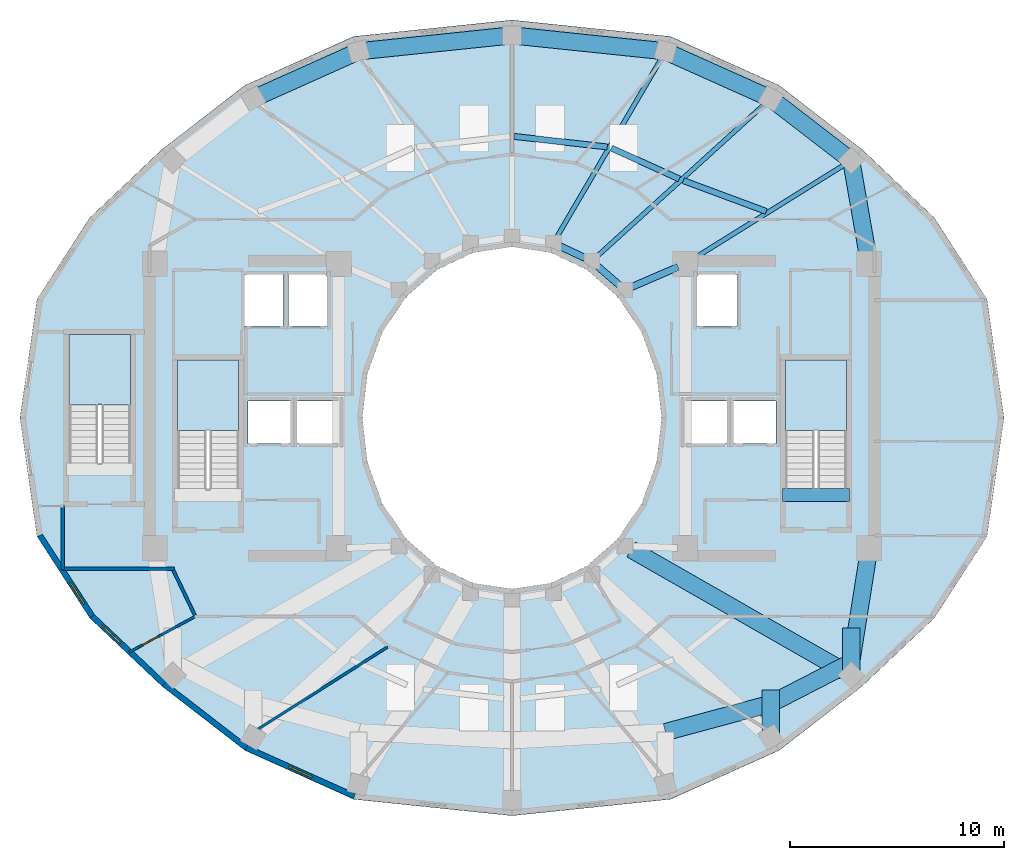
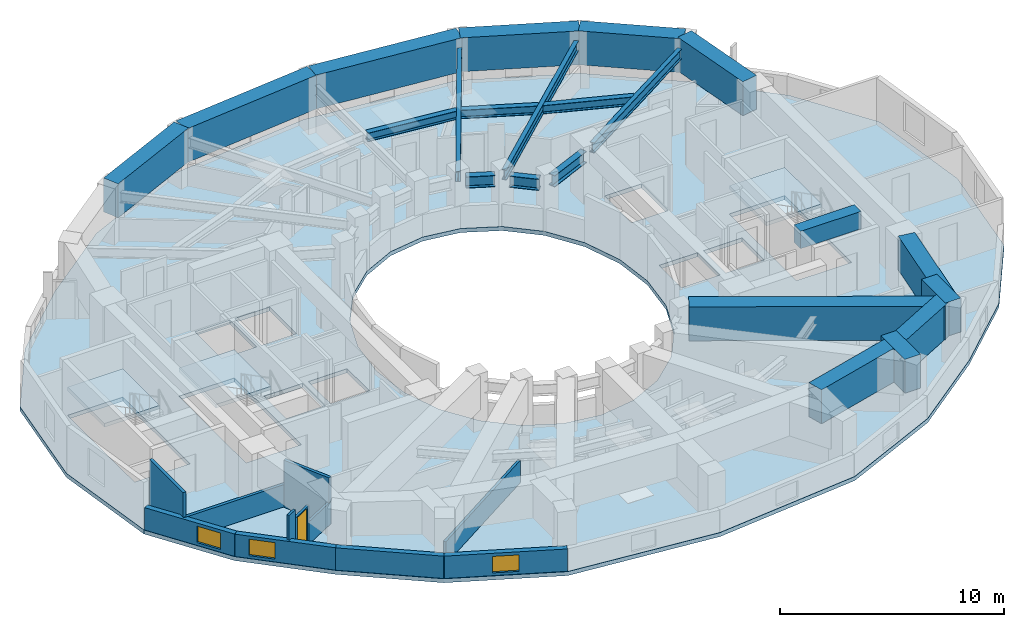
# One storey, part 2 of 9: 22 beams, 11 walls, 4 slabs, 3 windows, 1 door, 4 openings, 3 elements without a shape of their own.
"""IFC4 building model written with IfcOpenShell, lengths in metres."""

from ifc_helpers import new_model, si_unit, direction, frame, frame_2d, origin, origin_2d, place, context, subcontext, project, spatial, polyline, rectangle, i_section, outline, extrude, material, layer, layer_set, material_profile, profile_set, type_object, element, fill, aggregate, save


model = new_model("IFC4")

# Units and contexts
model_context = context("Model", 3, precision=1e-05, world=origin(), true_north=direction((0.0, 1.0)))
body_context = subcontext(model_context, "Body", "Model", "MODEL_VIEW")
ifc_project = project(units=[si_unit("LENGTHUNIT", "METRE"), si_unit("AREAUNIT", "SQUARE_METRE"), si_unit("VOLUMEUNIT", "CUBIC_METRE"), si_unit("PLANEANGLEUNIT", "RADIAN"), si_unit("MASSUNIT", "GRAM", prefix="KILO")], contexts=[model_context])

# Site, building, storey
site_placement = place(None, origin())
site = spatial("IfcSite", under=ifc_project, at=site_placement, CompositionType="ELEMENT")
building_placement = place(site_placement, origin())
building = spatial("IfcBuilding", under=site, at=building_placement, Name="Solvane Sanctuary Tower", CompositionType="ELEMENT")
storey_placement = place(building_placement, frame((0.0, 0.0, 187.0)))
storey = spatial("IfcBuildingStorey", under=building, at=storey_placement, Name="L57", CompositionType="ELEMENT", Elevation=187.0)

# Beams
ifc_material_1 = material(Name="Concrete C70/85", Category="concrete")
ifc_material_profile_1 = material_profile(ifc_material_1, rectangle(XDim=0.60009765625, YDim=0.949951171875, at=origin_2d()), Name="RC600X950")
ifc_profile_set_1 = profile_set([ifc_material_profile_1], Name="Concrete C70/85")
beam_type_1 = type_object("IfcBeamType", Name="Beam B-COUPLE RC600X950", PredefinedType="LINTEL", material=ifc_profile_set_1)
beam_1_placement = place(storey_placement, frame((44.64990234375, 19.399169921875, 2.625), z_axis=(1.0, 0.0, 0.0), x_axis=(0.0, 1.0, 0.0)))
element("IfcBeam", 1, at=beam_1_placement, inside=storey, type_object=beam_type_1, Name="L57 ST-2 Stair Floor Landing Trimmer", PredefinedType="LINTEL", context=body_context, shape_type="SweptSolid", body=[
    extrude(rectangle(XDim=0.60009765625, YDim=0.949951171875, at=origin_2d()), origin(), (0.0, 0.0, 1.0), 3.1201171875),
])
ifc_material_2 = material(Name="Steel ASTM A992 Grade 50", Category="steel")
ifc_material_profile_2 = material_profile(ifc_material_2, i_section(OverallWidth=0.214111328125, OverallDepth=0.549072265625, WebThickness=0.0146484375, FlangeThickness=0.023681640625, FilletRadius=0.014892578125, at=origin_2d()), Name="W21X93")
ifc_profile_set_2 = profile_set([ifc_material_profile_2], Name="Steel ASTM A992 Grade 50")
beam_type_2 = type_object("IfcBeamType", Name="Beam B-RAD-Z3 W21X93", PredefinedType="JOIST", material=ifc_profile_set_2)
beam_2_placement = place(storey_placement, frame((40.405517578125, 30.390380859375, 2.323486328125), z_axis=(0.84882685523, 0.528670946658, 0.0), x_axis=(-0.528670946658, 0.84882685523, 0.0)))
element("IfcBeam", 2, at=beam_2_placement, inside=storey, type_object=beam_type_2, Name="L57 Radial Composite Floor Beam 01", PredefinedType="JOIST", context=body_context, shape_type="SweptSolid", body=[
    extrude(i_section(OverallWidth=0.214111328125, OverallDepth=0.549072265625, WebThickness=0.0146484375, FlangeThickness=0.023681640625, FilletRadius=0.014892578125, at=origin_2d()), origin(), (0.0, 0.0, 1.0), 8.498046875),
])
beam_3_placement = place(storey_placement, frame((35.937255859375, 30.514892578125, 2.323486328125), z_axis=(0.74020423772, 0.672382098558, 0.0), x_axis=(-0.672382098558, 0.74020423772, 0.0)))
element("IfcBeam", 3, at=beam_3_placement, inside=storey, type_object=beam_type_2, Name="L57 Radial Composite Floor Beam 02", PredefinedType="JOIST", context=body_context, shape_type="SweptSolid", body=[
    extrude(i_section(OverallWidth=0.214111328125, OverallDepth=0.549072265625, WebThickness=0.0146484375, FlangeThickness=0.023681640625, FilletRadius=0.014892578125, at=origin_2d()), origin(), (0.0, 0.0, 1.0), 10.7451171875),
])
beam_4_placement = place(storey_placement, frame((34.072265625, 31.413330078125, 2.323486328125), z_axis=(0.505243742555, 0.862976686017, 0.0), x_axis=(-0.862976686017, 0.505243742555, 0.0)))
element("IfcBeam", 4, at=beam_4_placement, inside=storey, type_object=beam_type_2, Name="L57 Radial Composite Floor Beam 03", PredefinedType="JOIST", context=body_context, shape_type="SweptSolid", body=[
    extrude(i_section(OverallWidth=0.214111328125, OverallDepth=0.549072265625, WebThickness=0.0146484375, FlangeThickness=0.023681640625, FilletRadius=0.014892578125, at=origin_2d()), origin(), (0.0, 0.0, 1.0), 9.826171875),
])
ifc_material_profile_3 = material_profile(ifc_material_2, i_section(OverallWidth=0.324951171875, OverallDepth=0.615966796875, WebThickness=0.013916015625, FlangeThickness=0.021484375, FilletRadius=0.01611328125, at=origin_2d()), Name="W24X117")
ifc_profile_set_3 = profile_set([ifc_material_profile_3], Name="Steel ASTM A992 Grade 50")
beam_type_3 = type_object("IfcBeamType", Name="Beam B-RING-IN2 W24X117", PredefinedType="BEAM", material=ifc_profile_set_3)
beam_5_placement = place(storey_placement, frame((34.2431640625, 31.02490234375, 2.2900390625), z_axis=(0.9051808128, -0.425026700502, 0.0), x_axis=(0.425026700502, 0.9051808128, 0.0)))
element("IfcBeam", 5, at=beam_5_placement, inside=storey, type_object=beam_type_3, Name="L57 Inner Light-Well Ring Beam IC03-IC02", PredefinedType="BEAM", context=body_context, shape_type="SweptSolid", body=[
    extrude(i_section(OverallWidth=0.324951171875, OverallDepth=0.615966796875, WebThickness=0.013916015625, FlangeThickness=0.021484375, FilletRadius=0.01611328125, at=origin_2d()), origin(), (0.0, 0.0, 1.0), 1.297607421875),
])
beam_6_placement = place(storey_placement, frame((35.990234375, 30.10009765625, 2.2900390625), z_axis=(0.754311313851, -0.656516901379, 0.0), x_axis=(0.656516901379, 0.754311313851, 0.0)))
element("IfcBeam", 6, at=beam_6_placement, inside=storey, type_object=beam_type_3, Name="L57 Inner Light-Well Ring Beam IC02-IC01", PredefinedType="BEAM", context=body_context, shape_type="SweptSolid", body=[
    extrude(i_section(OverallWidth=0.324951171875, OverallDepth=0.615966796875, WebThickness=0.013916015625, FlangeThickness=0.021484375, FilletRadius=0.01611328125, at=origin_2d()), origin(), (0.0, 0.0, 1.0), 1.358154296875),
])
beam_7_placement = place(storey_placement, frame((37.591796875, 29.11865234375, 2.2900390625), z_axis=(0.918264067649, 0.395968561966, 0.0), x_axis=(-0.395968561966, 0.918264067649, 0.0)))
element("IfcBeam", 7, at=beam_7_placement, inside=storey, type_object=beam_type_3, Name="L57 Inner Light-Well Ring Beam IC01-CE4", PredefinedType="BEAM", context=body_context, shape_type="SweptSolid", body=[
    extrude(i_section(OverallWidth=0.324951171875, OverallDepth=0.615966796875, WebThickness=0.013916015625, FlangeThickness=0.021484375, FilletRadius=0.01611328125, at=origin_2d()), origin(), (0.0, 0.0, 1.0), 2.371337890625),
])
ifc_material_profile_4 = material_profile(ifc_material_2, i_section(OverallWidth=0.280029296875, OverallDepth=0.462890625, WebThickness=0.0107421875, FlangeThickness=0.017333984375, FilletRadius=0.013916015625, at=origin_2d()), Name="W18X76")
ifc_profile_set_4 = profile_set([ifc_material_profile_4], Name="Steel ASTM A992 Grade 50")
beam_type_4 = type_object("IfcBeamType", Name="Beam B-SEC-JOIST W18X76", PredefinedType="JOIST", material=ifc_profile_set_4)
beam_8_placement = place(storey_placement, frame((32.101318359375, 36.158447265625, 2.366455078125), z_axis=(0.993621305354, -0.112768353477, 0.0), x_axis=(0.112768353477, 0.993621305354, 0.0)))
element("IfcBeam", 8, at=beam_8_placement, inside=storey, type_object=beam_type_4, Name="L57 Secondary Circumferential Joist 04-03", PredefinedType="JOIST", context=body_context, shape_type="SweptSolid", body=[
    extrude(i_section(OverallWidth=0.280029296875, OverallDepth=0.462890625, WebThickness=0.0107421875, FlangeThickness=0.017333984375, FilletRadius=0.013916015625, at=origin_2d()), origin(), (0.0, 0.0, 1.0), 4.379638671875),
])
beam_9_placement = place(storey_placement, frame((36.6474609375, 35.61083984375, 2.366455078125), z_axis=(0.91050074995, -0.413507417516, 0.0), x_axis=(0.413507417516, 0.91050074995, 0.0)))
element("IfcBeam", 9, at=beam_9_placement, inside=storey, type_object=beam_type_4, Name="L57 Secondary Circumferential Joist 03-02", PredefinedType="JOIST", context=body_context, shape_type="SweptSolid", body=[
    extrude(i_section(OverallWidth=0.280029296875, OverallDepth=0.462890625, WebThickness=0.0107421875, FlangeThickness=0.017333984375, FilletRadius=0.013916015625, at=origin_2d()), origin(), (0.0, 0.0, 1.0), 3.48583984375),
])
beam_10_placement = place(storey_placement, frame((40.009765625, 34.091796875, 2.366455078125), z_axis=(0.937258220662, -0.34863595311, 0.0), x_axis=(0.34863595311, 0.937258220662, 0.0)))
element("IfcBeam", 10, at=beam_10_placement, inside=storey, type_object=beam_type_4, Name="L57 Secondary Circumferential Joist 02-01", PredefinedType="JOIST", context=body_context, shape_type="SweptSolid", body=[
    extrude(i_section(OverallWidth=0.280029296875, OverallDepth=0.462890625, WebThickness=0.0107421875, FlangeThickness=0.017333984375, FilletRadius=0.013916015625, at=origin_2d()), origin(), (0.0, 0.0, 1.0), 4.13232421875),
])
ifc_material_profile_5 = material_profile(ifc_material_1, rectangle(XDim=0.800048828125, YDim=1.85009765625, at=origin_2d()), Name="RC800X1850")
ifc_profile_set_5 = profile_set([ifc_material_profile_5], Name="Concrete C70/85")
beam_type_5 = type_object("IfcBeamType", Name="Beam B-XFER-BLK RC800X1850", PredefinedType="BEAM", material=ifc_profile_set_5)
beam_11_placement = place(storey_placement, frame((44.09814453125, 8.1220703125, 2.175048828125), z_axis=(0.0, 1.0, 0.0), x_axis=(-1.0, 0.0, 0.0)))
element("IfcBeam", 11, at=beam_11_placement, inside=storey, type_object=beam_type_5, Name="L57 Block-Shift Transfer Tie 13B", PredefinedType="BEAM", context=body_context, shape_type="SweptSolid", body=[
    extrude(rectangle(XDim=0.800048828125, YDim=1.85009765625, at=origin_2d()), origin(), (0.0, 0.0, 1.0), 2.14990234375),
])
beam_12_placement = place(storey_placement, frame((37.574462890625, 16.8466796875, 2.175048828125), z_axis=(0.868163254615, -0.496278715377, 0.0), x_axis=(0.496278715377, 0.868163254615, 0.0)))
element("IfcBeam", 12, at=beam_12_placement, inside=storey, type_object=beam_type_5, Name="L57 Block-Shift Radial Transfer Girder 14A", PredefinedType="BEAM", context=body_context, shape_type="SweptSolid", body=[
    extrude(rectangle(XDim=0.800048828125, YDim=1.85009765625, at=origin_2d()), origin(), (0.0, 0.0, 1.0), 11.4736328125),
])
beam_13_placement = place(storey_placement, frame((47.856689453125, 11.018798828125, 2.175048828125), z_axis=(0.0, 1.0, 0.0), x_axis=(-1.0, 0.0, 0.0)))
element("IfcBeam", 13, at=beam_13_placement, inside=storey, type_object=beam_type_5, Name="L57 Block-Shift Transfer Tie 14B", PredefinedType="BEAM", context=body_context, shape_type="SweptSolid", body=[
    extrude(rectangle(XDim=0.800048828125, YDim=1.85009765625, at=origin_2d()), origin(), (0.0, 0.0, 1.0), 2.150146484375),
])
beam_14_placement = place(storey_placement, frame((19.90185546875, 37.927978515625, 2.175048828125), z_axis=(0.912435879272, 0.409219704092, 0.0), x_axis=(-0.409219704092, 0.912435879272, 0.0)))
element("IfcBeam", 14, at=beam_14_placement, inside=storey, type_object=beam_type_5, Name="L57 Perimeter Step Transfer Ring NTC06-NTC05", PredefinedType="BEAM", context=body_context, shape_type="SweptSolid", body=[
    extrude(rectangle(XDim=0.800048828125, YDim=1.85009765625, at=origin_2d()), origin(), (0.0, 0.0, 1.0), 5.39208984375),
])
for number, where, z_axis, x_axis, name in (
    (15, (24.82177734375, 40.134521484375, 2.175048828125), (0.994652199756, 0.10328117699, 0.0), (-0.10328117699, 0.994652199756, 0.0), "L57 Perimeter Step Transfer Ring NTC05-NTC04"),
    (16, (32.0, 40.8798828125, 2.175048828125), (0.994652199756, -0.10328117699, 0.0), (0.10328117699, 0.994652199756, 0.0), "L57 Perimeter Step Transfer Ring NTC04-NTC03"),
):
    element("IfcBeam", number, at=place(storey_placement, frame(where, z_axis=z_axis, x_axis=x_axis)), inside=storey, type_object=beam_type_5, Name=name, PredefinedType="BEAM", context=body_context, shape_type="SweptSolid", body=[
        extrude(rectangle(XDim=0.800048828125, YDim=1.85009765625, at=origin_2d()), origin(), (0.0, 0.0, 1.0), 7.216796875),
    ])
beam_15_placement = place(storey_placement, frame((39.17822265625, 40.134521484375, 2.175048828125), z_axis=(0.912435879272, -0.409219704092, 0.0), x_axis=(0.409219704092, 0.912435879272, 0.0)))
element("IfcBeam", 17, at=beam_15_placement, inside=storey, type_object=beam_type_5, Name="L57 Perimeter Step Transfer Ring NTC03-NTC02", PredefinedType="BEAM", context=body_context, shape_type="SweptSolid", body=[
    extrude(rectangle(XDim=0.800048828125, YDim=1.85009765625, at=origin_2d()), origin(), (0.0, 0.0, 1.0), 5.39208984375),
])
beam_16_placement = place(storey_placement, frame((44.09814453125, 37.927978515625, 2.175048828125), z_axis=(0.792034554649, -0.610476260179, 0.0), x_axis=(0.610476260179, 0.792034554649, 0.0)))
element("IfcBeam", 18, at=beam_16_placement, inside=storey, type_object=beam_type_5, Name="L57 Perimeter Step Transfer Ring NTC02-NTC01", PredefinedType="BEAM", context=body_context, shape_type="SweptSolid", body=[
    extrude(rectangle(XDim=0.800048828125, YDim=1.85009765625, at=origin_2d()), origin(), (0.0, 0.0, 1.0), 4.745361328125),
])
beam_17_placement = place(storey_placement, frame((47.856689453125, 35.031005859375, 2.175048828125), z_axis=(0.171982816413, -0.98509994968, 0.0), x_axis=(0.98509994968, 0.171982816413, 0.0)))
element("IfcBeam", 19, at=beam_17_placement, inside=storey, type_object=beam_type_5, Name="L57 Perimeter Step Transfer Ring NTC01-CE3", PredefinedType="BEAM", context=body_context, shape_type="SweptSolid", body=[
    extrude(rectangle(XDim=0.800048828125, YDim=1.85009765625, at=origin_2d()), origin(), (0.0, 0.0, 1.0), 4.5439453125),
])
beam_18_placement = place(storey_placement, frame((39.17822265625, 8.313232421875, 2.175048828125), z_axis=(0.965477774792, 0.260485443705, 0.0), x_axis=(-0.260485443705, 0.965477774792, 0.0)))
element("IfcBeam", 20, at=beam_18_placement, inside=storey, type_object=beam_type_5, Name="L57 Perimeter Step Transfer Ring NTC12-NTC13", PredefinedType="BEAM", context=body_context, shape_type="SweptSolid", body=[
    extrude(rectangle(XDim=0.800048828125, YDim=1.85009765625, at=origin_2d()), origin(), (0.0, 0.0, 1.0), 5.095947265625),
])
beam_19_placement = place(storey_placement, frame((44.09814453125, 9.640625, 2.175048828125), z_axis=(0.889297870953, 0.457328434189, 0.0), x_axis=(-0.457328434189, 0.889297870953, 0.0)))
element("IfcBeam", 21, at=beam_19_placement, inside=storey, type_object=beam_type_5, Name="L57 Perimeter Step Transfer Ring NTC13-NTC14", PredefinedType="BEAM", context=body_context, shape_type="SweptSolid", body=[
    extrude(rectangle(XDim=0.800048828125, YDim=1.85009765625, at=origin_2d()), origin(), (0.0, 0.0, 1.0), 4.226318359375),
])
beam_20_placement = place(storey_placement, frame((47.856689453125, 11.573486328125, 2.175048828125), z_axis=(0.156393503441, 0.987694827404, 0.0), x_axis=(-0.987694827404, 0.156393503441, 0.0)))
element("IfcBeam", 22, at=beam_20_placement, inside=storey, type_object=beam_type_5, Name="L57 Perimeter Step Transfer Ring NTC14-CE2", PredefinedType="BEAM", context=body_context, shape_type="SweptSolid", body=[
    extrude(rectangle(XDim=0.800048828125, YDim=1.85009765625, at=origin_2d()), origin(), (0.0, 0.0, 1.0), 5.032958984375),
])

# Stair, slab
ifc_material_3 = material(Name="Concrete C45/55", Category="concrete")
stair_type = type_object("IfcStairType", Name="Stair ST-TOW", PredefinedType="HALF_TURN_STAIR", material=ifc_material_3)
stair_1_placement = place(storey_placement, origin())
stair_1 = element("IfcStair", 23, at=stair_1_placement, inside=storey, type_object=stair_type, Name="L57 Exit Stair ST-1 West Core", PredefinedType="HALF_TURN_STAIR")
ifc_layer_1 = layer(ifc_material_3, 0.199951171875, Name="Concrete C45/55")
ifc_layer_set_1 = layer_set([ifc_layer_1], Name="Concrete C45/55")
slab_type_1 = type_object("IfcSlabType", Name="Slab SL-LAND-180", PredefinedType="LANDING", material=ifc_layer_set_1)
slab_1_placement = place(storey_placement, frame((0.0, 0.0, 1.35009765625)))
slab_1 = element("IfcSlab", 24, at=slab_1_placement, type_object=slab_type_1, Name="ST-1 landing 1", PredefinedType="LANDING", context=body_context, shape_type="SweptSolid", body=[
    extrude(outline(polyline([(19.219970703125, 22.39990234375), (19.219970703125, 25.699951171875), (16.360107421875, 25.699951171875), (16.360107421875, 22.39990234375), (19.219970703125, 22.39990234375)])), origin(), (0.0, 0.0, 1.0), 0.199951171875),
])
aggregate(stair_1, [slab_1])

stair_2_placement = place(storey_placement, origin())
stair_2 = element("IfcStair", 25, at=stair_2_placement, inside=storey, type_object=stair_type, Name="L57 Exit Stair ST-2 East Core", PredefinedType="HALF_TURN_STAIR")
slab_2_placement = place(storey_placement, frame((0.0, 0.0, 1.35009765625)))
slab_2 = element("IfcSlab", 26, at=slab_2_placement, type_object=slab_type_1, Name="ST-2 landing 1", PredefinedType="LANDING", context=body_context, shape_type="SweptSolid", body=[
    extrude(outline(polyline([(47.639892578125, 22.39990234375), (47.639892578125, 25.699951171875), (44.780029296875, 25.699951171875), (44.780029296875, 22.39990234375), (47.639892578125, 22.39990234375)])), origin(), (0.0, 0.0, 1.0), 0.199951171875),
])
aggregate(stair_2, [slab_2])

stair_3_placement = place(storey_placement, origin())
stair_3 = element("IfcStair", 27, at=stair_3_placement, inside=storey, type_object=stair_type, Name="L57 Exit Stair ST-3 Pilgrim Tower Stair", PredefinedType="HALF_TURN_STAIR")
slab_3_placement = place(storey_placement, frame((0.0, 0.0, 1.35009765625)))
slab_3 = element("IfcSlab", 28, at=slab_3_placement, type_object=slab_type_1, Name="ST-3 landing 1", PredefinedType="LANDING", context=body_context, shape_type="SweptSolid", body=[
    extrude(outline(polyline([(14.159912109375, 23.60009765625), (14.159912109375, 26.89990234375), (11.300048828125, 26.89990234375), (11.300048828125, 23.60009765625), (14.159912109375, 23.60009765625)])), origin(), (0.0, 0.0, 1.0), 0.199951171875),
])
aggregate(stair_3, [slab_3])

# Slab
ifc_layer_2 = layer(ifc_material_3, 0.219970703125, Name="Concrete C45/55")
ifc_layer_set_2 = layer_set([ifc_layer_2], Name="Concrete C45/55")
slab_type_2 = type_object("IfcSlabType", Name="Slab SL-TOW-220", PredefinedType="FLOOR", material=ifc_layer_set_2)
slab_4_placement = place(storey_placement, frame((0.0, 0.0, -0.219970703125)))
element("IfcSlab", 29, at=slab_4_placement, inside=storey, type_object=slab_type_2, Name="L57 Primary Structural Slab", PredefinedType="FLOOR", context=body_context, shape_type="SweptSolid", body=[
    extrude(outline(polyline([(55.0, 23.0), (54.205322265625, 28.54150390625), (51.7392578125, 32.360107421875), (48.368896484375, 35.54345703125), (44.489013671875, 38.5458984375), (39.410400390625, 40.82958984375), (32.0, 41.60009765625), (24.589599609375, 40.82958984375), (19.510986328125, 38.5458984375), (15.631103515625, 35.54345703125), (12.2607421875, 32.360107421875), (9.794677734375, 28.54150390625), (9.0, 23.0), (9.794677734375, 17.45849609375), (12.2607421875, 13.639892578125), (15.631103515625, 10.45654296875), (19.510986328125, 7.4541015625), (24.589599609375, 5.17041015625), (32.0, 4.39990234375), (39.410400390625, 5.17041015625), (44.489013671875, 7.4541015625), (48.368896484375, 10.45654296875), (51.7392578125, 13.639892578125), (54.205322265625, 17.45849609375), (55.0, 23.0)]), holes=[polyline([(38.761474609375, 20.929443359375), (38.062255859375, 19.0), (36.94970703125, 17.343017578125), (35.5, 16.07177734375), (33.811767578125, 15.272705078125), (32.0, 15.0), (30.188232421875, 15.272705078125), (28.5, 16.07177734375), (27.05029296875, 17.343017578125), (25.937744140625, 19.0), (25.238525390625, 20.929443359375), (25.0, 23.0), (25.238525390625, 25.070556640625), (25.937744140625, 27.0), (27.05029296875, 28.656982421875), (28.5, 29.92822265625), (30.188232421875, 30.727294921875), (32.0, 31.0), (33.811767578125, 30.727294921875), (35.5, 29.92822265625), (36.94970703125, 28.656982421875), (38.062255859375, 27.0), (38.761474609375, 25.070556640625), (39.0, 23.0), (38.761474609375, 20.929443359375)]), polyline([(16.360107421875, 19.699951171875), (16.360107421875, 25.699951171875), (19.219970703125, 25.699951171875), (19.219970703125, 19.699951171875), (16.360107421875, 19.699951171875)]), polyline([(44.780029296875, 19.699951171875), (44.780029296875, 25.699951171875), (47.639892578125, 25.699951171875), (47.639892578125, 19.699951171875), (44.780029296875, 19.699951171875)]), polyline([(11.300048828125, 20.89990234375), (11.300048828125, 26.89990234375), (14.159912109375, 26.89990234375), (14.159912109375, 20.89990234375), (11.300048828125, 20.89990234375)]), polyline([(19.64990234375, 23.800048828125), (21.64990234375, 23.800048828125), (21.64990234375, 21.800048828125), (19.64990234375, 21.800048828125), (19.64990234375, 23.800048828125)]), polyline([(42.35009765625, 23.800048828125), (44.35009765625, 23.800048828125), (44.35009765625, 21.800048828125), (42.35009765625, 21.800048828125), (42.35009765625, 23.800048828125)]), polyline([(21.949951171875, 23.800048828125), (23.949951171875, 23.800048828125), (23.949951171875, 21.800048828125), (21.949951171875, 21.800048828125), (21.949951171875, 23.800048828125)]), polyline([(40.050048828125, 23.800048828125), (42.050048828125, 23.800048828125), (42.050048828125, 21.800048828125), (40.050048828125, 21.800048828125), (40.050048828125, 23.800048828125)]), polyline([(19.5, 29.699951171875), (21.300048828125, 29.699951171875), (21.300048828125, 27.300048828125), (19.5, 27.300048828125), (19.5, 29.699951171875)]), polyline([(21.550048828125, 29.699951171875), (23.35009765625, 29.699951171875), (23.35009765625, 27.300048828125), (21.550048828125, 27.300048828125), (21.550048828125, 29.699951171875)]), polyline([(40.64990234375, 29.699951171875), (42.550048828125, 29.699951171875), (42.550048828125, 27.300048828125), (40.64990234375, 27.300048828125), (40.64990234375, 29.699951171875)])]), origin(), (0.0, 0.0, 1.0), 0.219970703125),
])

# Walls
ifc_material_4 = material(Name="Acoustic Gypsum Partition Board")
ifc_layer_3 = layer(ifc_material_4, 0.14990234375, Name="Acoustic Gypsum Partition Board")
ifc_layer_set_3 = layer_set([ifc_layer_3], Name="Acoustic Gypsum Partition Board")
wall_type_1 = type_object("IfcWallType", Name="Wall W-CORR-150", PredefinedType="PARTITIONING", material=ifc_layer_set_3)
wall_1_placement = place(storey_placement, frame((11.0, 15.909912109375, 0.0), z_axis=(0.0, 0.0, 1.0), x_axis=(0.0, 1.0, 0.0)))
element("IfcWall", 30, at=wall_1_placement, inside=storey, type_object=wall_type_1, Name="L57 SW Corner Closer 2", PredefinedType="PARTITIONING", context=body_context, shape_type="SweptSolid", body=[
    extrude(rectangle(XDim=3.010009765625, YDim=0.14990234375, at=frame_2d((1.5048828125, 0.0))), origin(), (0.0, 0.0, 1.0), 2.574951171875),
])
wall_2_placement = place(storey_placement, frame((10.9599609375, 15.949951171875, 0.0), z_axis=(0.0, 0.0, 1.0), x_axis=(1.0, 0.0, 0.0)))
element("IfcWall", 31, at=wall_2_placement, inside=storey, type_object=wall_type_1, Name="L57 SW Corner Closer 3", PredefinedType="PARTITIONING", context=body_context, shape_type="SweptSolid", body=[
    extrude(rectangle(XDim=5.260009765625, YDim=0.14990234375, at=frame_2d((2.6298828125, 0.0))), origin(), (0.0, 0.0, 1.0), 1.219970703125),
])
wall_3_placement = place(storey_placement, frame((17.2216796875, 13.6748046875, 0.0), z_axis=(0.0, 0.0, 1.0), x_axis=(-0.431973389813, 0.901886351207, 0.0)))
element("IfcWall", 32, at=wall_3_placement, inside=storey, type_object=wall_type_1, Name="L57 SW Corner Wing Wall", PredefinedType="PARTITIONING", context=body_context, shape_type="SweptSolid", body=[
    extrude(rectangle(XDim=2.45166015625, YDim=0.14990234375, at=frame_2d((1.225830078125, 0.0))), origin(), (0.0, 0.0, 1.0), 2.574951171875),
])

# Wall, opening, window
ifc_material_5 = material(Name="Precast concrete C40/50", Category="concrete")
ifc_layer_4 = layer(ifc_material_5, 0.260009765625, Name="Precast concrete C40/50")
ifc_layer_set_4 = layer_set([ifc_layer_4], Name="Precast concrete C40/50")
wall_type_2 = type_object("IfcWallType", Name="Wall W-EXT-250", PredefinedType="STANDARD", material=ifc_layer_set_4)
wall_4_placement = place(storey_placement, frame((9.9296875, 17.50341796875, 0.0), z_axis=(0.0, 0.0, 1.0), x_axis=(0.543358984534, -0.839500454989, 0.0)))
wall_4 = element("IfcWall", 33, at=wall_4_placement, inside=storey, type_object=wall_type_2, Name="L57 Ceramic-Printed Facade Wall 13", PredefinedType="STANDARD", context=body_context, shape_type="SweptSolid", body=[
    extrude(rectangle(XDim=4.51123046875, YDim=0.260009765625, at=frame_2d((2.255615234375, 0.0))), origin(), (0.0, 0.0, 1.0), 1.219970703125),
])
opening_1_placement = place(wall_4_placement, frame((2.615478515625, 0.0, 0.14990234375)))
opening_1 = element("IfcOpeningElement", 34, at=opening_1_placement, cuts=wall_4, Name="Opening WN-OPER-1200", PredefinedType="OPENING", context=body_context, shape_type="SweptSolid", body=[
    extrude(rectangle(XDim=1.199951171875, YDim=0.89990234375, at=frame_2d((0.60009765625, 0.449951171875))), frame((0.0, 0.139892578125, 0.0), z_axis=(0.0, -1.0, 0.0), x_axis=(1.0, 0.0, 0.0)), (0.0, 0.0, 1.0), 0.280029296875),
])
ifc_material_6 = material(Name="Dark Ceramic-Fritted Low-E Glass", Category="glass")
window_type = type_object("IfcWindowType", Name="Window WN-OPER-1200", PartitioningType="SINGLE_PANEL", PredefinedType="WINDOW", material=ifc_material_6)
window_1_placement = place(opening_1_placement, origin())
window_1 = element("IfcWindow", 35, at=window_1_placement, inside=storey, type_object=window_type, Name="L57 Operable Facade Window 13", OverallHeight=0.89990234375, OverallWidth=1.199951171875, PartitioningType="SINGLE_PANEL", PredefinedType="WINDOW", context=body_context, shape_type="SweptSolid", body=[
    extrude(rectangle(XDim=1.199951171875, YDim=0.89990234375, at=frame_2d((0.60009765625, 0.449951171875))), frame((0.0, 0.030029296875, 0.0), z_axis=(0.0, -1.0, 0.0), x_axis=(1.0, 0.0, 0.0)), (0.0, 0.0, 1.0), 0.06005859375),
])
fill(opening_1, window_1)

wall_5_placement = place(storey_placement, frame((12.380859375, 13.71630859375, 0.0), z_axis=(0.0, 0.0, 1.0), x_axis=(0.727667301037, -0.68593024354, 0.0)))
wall_5 = element("IfcWall", 36, at=wall_5_placement, inside=storey, type_object=wall_type_2, Name="L57 Ceramic-Printed Facade Wall 14", PredefinedType="STANDARD", context=body_context, shape_type="SweptSolid", body=[
    extrude(rectangle(XDim=4.603515625, YDim=0.260009765625, at=frame_2d((2.3017578125, 0.0))), origin(), (0.0, 0.0, 1.0), 1.219970703125),
])
opening_2_placement = place(wall_5_placement, frame((0.631103515625, 0.0, 0.14990234375)))
opening_2 = element("IfcOpeningElement", 37, at=opening_2_placement, cuts=wall_5, Name="Opening WN-OPER-1200", PredefinedType="OPENING", context=body_context, shape_type="SweptSolid", body=[
    extrude(rectangle(XDim=1.199951171875, YDim=0.89990234375, at=frame_2d((0.60009765625, 0.449951171875))), frame((0.0, 0.139892578125, 0.0), z_axis=(0.0, -1.0, 0.0), x_axis=(1.0, 0.0, 0.0)), (0.0, 0.0, 1.0), 0.280029296875),
])
window_2_placement = place(opening_2_placement, origin())
window_2 = element("IfcWindow", 38, at=window_2_placement, inside=storey, type_object=window_type, Name="L57 Operable Facade Window 14", OverallHeight=0.89990234375, OverallWidth=1.199951171875, PartitioningType="SINGLE_PANEL", PredefinedType="WINDOW", context=body_context, shape_type="SweptSolid", body=[
    extrude(rectangle(XDim=1.199951171875, YDim=0.89990234375, at=frame_2d((0.60009765625, 0.449951171875))), frame((0.0, 0.030029296875, 0.0), z_axis=(0.0, -1.0, 0.0), x_axis=(1.0, 0.0, 0.0)), (0.0, 0.0, 1.0), 0.06005859375),
])
fill(opening_2, window_2)

# Wall
wall_6_placement = place(storey_placement, frame((15.730712890625, 10.55859375, 0.0), z_axis=(0.0, 0.0, 1.0), x_axis=(0.791460185804, -0.611220724687, 0.0)))
element("IfcWall", 39, at=wall_6_placement, inside=storey, type_object=wall_type_2, Name="L57 Ceramic-Printed Facade Wall 15", PredefinedType="STANDARD", context=body_context, shape_type="SweptSolid", body=[
    extrude(rectangle(XDim=4.872314453125, YDim=0.260009765625, at=frame_2d((2.43603515625, 0.0))), origin(), (0.0, 0.0, 1.0), 1.219970703125),
])

# Wall, opening, window
wall_7_placement = place(storey_placement, frame((19.5869140625, 7.58056640625, 0.0), z_axis=(0.0, 0.0, 1.0), x_axis=(0.912353637112, -0.409403029847, 0.0)))
wall_7 = element("IfcWall", 40, at=wall_7_placement, inside=storey, type_object=wall_type_2, Name="L57 Ceramic-Printed Facade Wall 16", PredefinedType="STANDARD", context=body_context, shape_type="SweptSolid", body=[
    extrude(rectangle(XDim=5.53271484375, YDim=0.260009765625, at=frame_2d((2.766357421875, 0.0))), origin(), (0.0, 0.0, 1.0), 1.219970703125),
])
opening_3_placement = place(wall_7_placement, frame((2.16650390625, 0.0, 0.14990234375)))
opening_3 = element("IfcOpeningElement", 41, at=opening_3_placement, cuts=wall_7, Name="Opening WN-OPER-1200", PredefinedType="OPENING", context=body_context, shape_type="SweptSolid", body=[
    extrude(rectangle(XDim=1.199951171875, YDim=0.89990234375, at=frame_2d((0.60009765625, 0.449951171875))), frame((0.0, 0.139892578125, 0.0), z_axis=(0.0, -1.0, 0.0), x_axis=(1.0, 0.0, 0.0)), (0.0, 0.0, 1.0), 0.280029296875),
])
window_3_placement = place(opening_3_placement, origin())
window_3 = element("IfcWindow", 42, at=window_3_placement, inside=storey, type_object=window_type, Name="L57 Operable Facade Window 16", OverallHeight=0.89990234375, OverallWidth=1.199951171875, PartitioningType="SINGLE_PANEL", PredefinedType="WINDOW", context=body_context, shape_type="SweptSolid", body=[
    extrude(rectangle(XDim=1.199951171875, YDim=0.89990234375, at=frame_2d((0.60009765625, 0.449951171875))), frame((0.0, 0.030029296875, 0.0), z_axis=(0.0, -1.0, 0.0), x_axis=(1.0, 0.0, 0.0)), (0.0, 0.0, 1.0), 0.06005859375),
])
fill(opening_3, window_3)

# Wall
ifc_layer_5 = layer(ifc_material_4, 0.1201171875, Name="Acoustic Gypsum Partition Board")
ifc_layer_set_5 = layer_set([ifc_layer_5], Name="Acoustic Gypsum Partition Board")
wall_type_3 = type_object("IfcWallType", Name="Wall W-MOV-100", PredefinedType="MOVABLE", material=ifc_layer_set_5)
wall_8_placement = place(storey_placement, frame((17.243896484375, 13.743896484375, 0.0), z_axis=(0.0, 0.0, 1.0), x_axis=(-0.879399863451, -0.476083900339, 0.0)))
element("IfcWall", 43, at=wall_8_placement, inside=storey, type_object=wall_type_3, Name="L57 SW Corner Suite Partition", PredefinedType="MOVABLE", context=body_context, shape_type="SweptSolid", body=[
    extrude(rectangle(XDim=1.85546875, YDim=0.1201171875, at=frame_2d((0.927734375, 0.0))), origin(), (0.0, 0.0, 1.0), 1.219970703125),
])

# Wall, opening, door
wall_9_placement = place(storey_placement, frame((15.6123046875, 12.860595703125, 0.0), z_axis=(0.0, 0.0, 1.0), x_axis=(-0.879342939039, -0.476189033433, 0.0)))
wall_9 = element("IfcWall", 44, at=wall_9_placement, inside=storey, type_object=wall_type_3, Name="L57 SW Corner Suite Partition", PredefinedType="MOVABLE", context=body_context, shape_type="SweptSolid", body=[
    extrude(rectangle(XDim=1.169921875, YDim=0.1201171875, at=frame_2d((0.5849609375, 0.0))), origin(), (0.0, 0.0, 1.0), 2.110107421875),
])
opening_4_placement = place(wall_9_placement, frame((0.159912109375, 0.0, 0.0)))
opening_4 = element("IfcOpeningElement", 45, at=opening_4_placement, cuts=wall_9, Name="Opening D-L57-17", PredefinedType="OPENING", context=body_context, shape_type="SweptSolid", body=[
    extrude(rectangle(XDim=0.85009765625, YDim=2.050048828125, at=frame_2d((0.425048828125, 1.02490234375))), frame((0.0, 0.070068359375, 0.0), z_axis=(0.0, -1.0, 0.0), x_axis=(1.0, 0.0, 0.0)), (0.0, 0.0, 1.0), 0.14013671875),
])
ifc_material_7 = material(Name="Architectural Stainless Steel 316", Category="steel")
door_type = type_object("IfcDoorType", Name="Door D-RISER", OperationType="NOTDEFINED", PredefinedType="DOOR", material=ifc_material_7)
door_placement = place(opening_4_placement, origin())
door = element("IfcDoor", 46, at=door_placement, inside=storey, type_object=door_type, Name="L57 SW Corner Suite Door", OperationType="SINGLE_SWING_LEFT", OverallHeight=2.050048828125, OverallWidth=0.85009765625, PredefinedType="DOOR", context=body_context, shape_type="SweptSolid", body=[
    extrude(rectangle(XDim=0.85009765625, YDim=2.050048828125, at=frame_2d((0.425048828125, 1.02490234375))), frame((0.0, 0.02490234375, 0.0), z_axis=(0.0, -1.0, 0.0), x_axis=(1.0, 0.0, 0.0)), (0.0, 0.0, 1.0), 0.050048828125),
])
fill(opening_4, door)

# Walls
wall_10_placement = place(storey_placement, frame((14.58349609375, 12.303466796875, 0.0), z_axis=(0.0, 0.0, 1.0), x_axis=(-0.879427451533, -0.476032937401, 0.0)))
element("IfcWall", 47, at=wall_10_placement, inside=storey, type_object=wall_type_3, Name="L57 SW Corner Suite Partition", PredefinedType="MOVABLE", context=body_context, shape_type="SweptSolid", body=[
    extrude(rectangle(XDim=0.534423828125, YDim=0.1201171875, at=frame_2d((0.26708984375, 0.0))), origin(), (0.0, 0.0, 1.0), 2.574951171875),
])
ifc_layer_6 = layer(ifc_material_4, 0.125, Name="Acoustic Gypsum Partition Board")
ifc_layer_set_6 = layer_set([ifc_layer_6], Name="Acoustic Gypsum Partition Board")
wall_type_4 = type_object("IfcWallType", Name="Wall W-PART-125", PredefinedType="PARTITIONING", material=ifc_layer_set_6)
wall_11_placement = place(storey_placement, frame((26.1884765625, 12.29248046875, 0.0), z_axis=(0.0, 0.0, 1.0), x_axis=(-0.844640430122, -0.535334048799, 0.0)))
element("IfcWall", 48, at=wall_11_placement, inside=storey, type_object=wall_type_4, Name="L57 Radial Compartment Wall 240", PredefinedType="PARTITIONING", context=body_context, shape_type="SweptSolid", body=[
    extrude(rectangle(XDim=7.188232421875, YDim=0.125, at=frame_2d((3.59423828125, 0.0))), origin(), (0.0, 0.0, 1.0), 1.219970703125),
])

save(model, "model.ifc")
